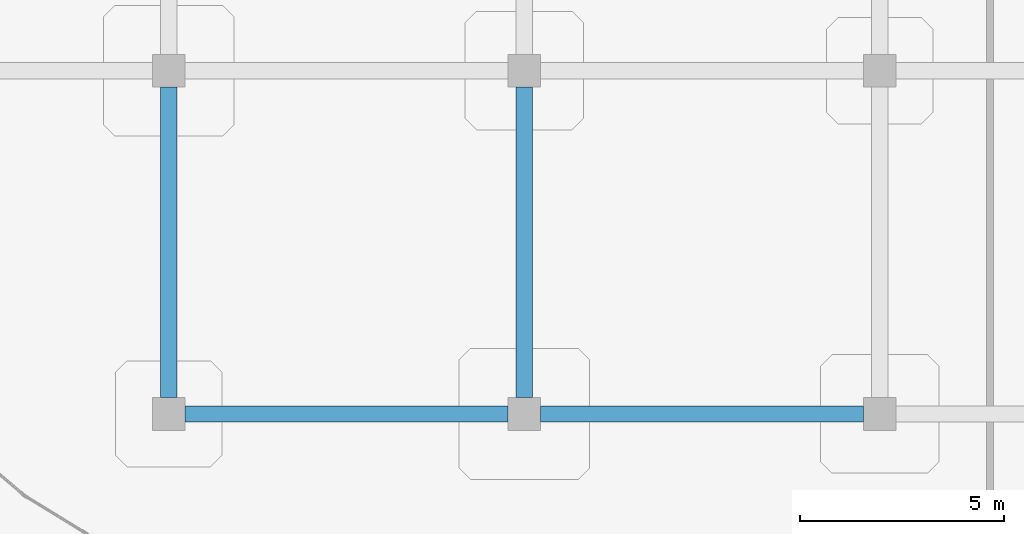
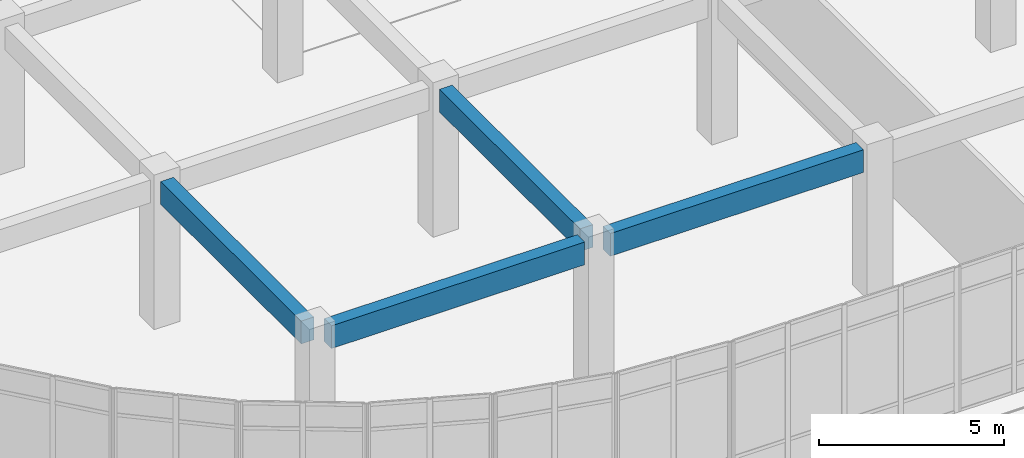
# One storey, part 5 of 124: 4 beams.
"""IFC4 building model written with IfcOpenShell, lengths in metres."""

import ifcopenshell
import ifcopenshell.guid

model = None  # the IFC model being written
_history = None  # IfcOwnerHistory: only IFC2X3 demands one
_inside = {}  # id of a spatial element -> (the spatial element, [elements in it])
_under = {}  # id of a project, library or spatial element -> (it, [spatial elements below it])
_declared = {}  # id of a project -> (the project, [libraries it declares])
_typed = {}  # id of a type object -> (the type object, [elements of that type])
_made_of = {}  # id of a material, layer set ... -> (it, [elements and type objects made of it])


def new_model(schema):
    """Start an empty IFC model of exactly this schema.

    Asked for "IFC4X3", IfcOpenShell would pick the latest addendum, in which some entities
    have other attributes; the version numbers below select the first issue.
    IFC2X3 requires an IfcOwnerHistory on every rooted entity: one is made here for all.
    """
    global model, _history
    if schema == "IFC4X3":
        model = ifcopenshell.file(schema_version=(4, 3, 0, 0))
    else:
        model = ifcopenshell.file(schema=schema)
    _inside.clear()
    _under.clear()
    _declared.clear()
    _typed.clear()
    _made_of.clear()
    _history = None
    if model.schema == "IFC2X3":
        org = make("IfcOrganization", Name="unknown")
        user = make(
            "IfcPersonAndOrganization",
            ThePerson=make("IfcPerson", FamilyName="unknown"),
            TheOrganization=org,
        )
        app = make(
            "IfcApplication",
            ApplicationDeveloper=org,
            Version="unknown",
            ApplicationFullName="unknown",
            ApplicationIdentifier="unknown",
        )
        _history = make(
            "IfcOwnerHistory",
            OwningUser=user,
            OwningApplication=app,
            ChangeAction="ADDED",
            CreationDate=0,
        )
    return model


def make(cls, **values):
    """One entity of the class cls with the attributes given. An attribute that is None is left unset."""
    return model.create_entity(
        cls, **{name: value for name, value in values.items() if value is not None}
    )


def rooted(cls, **values):
    """An entity with a GlobalId (a new one), such as an element, a storey or a relation."""
    return make(cls, GlobalId=ifcopenshell.guid.new(), OwnerHistory=_history, **values)


def si_unit(unit_type, name, prefix=None):
    """IfcSIUnit, for example si_unit("LENGTHUNIT", "METRE", prefix="MILLI")."""
    return make("IfcSIUnit", UnitType=unit_type, Prefix=prefix, Name=name)


def derived_unit(unit_type, elements):
    """IfcDerivedUnit: a product of units, each with its exponent."""
    return make(
        "IfcDerivedUnit",
        Elements=[
            make("IfcDerivedUnitElement", Unit=unit, Exponent=power)
            for unit, power in elements
        ],
        UnitType=unit_type,
    )


def assignment(units):
    """IfcUnitAssignment: the units of a project."""
    return None if units is None else make("IfcUnitAssignment", Units=units)


def point(xyz):
    """IfcCartesianPoint."""
    return None if xyz is None else make("IfcCartesianPoint", Coordinates=xyz)


def direction(xyz):
    """IfcDirection."""
    return None if xyz is None else make("IfcDirection", DirectionRatios=xyz)


def frame(location, z_axis=None, x_axis=None):
    """IfcAxis2Placement3D, a coordinate frame: its origin and axes. An axis left out is left unset."""
    return make(
        "IfcAxis2Placement3D",
        Location=point(location),
        Axis=direction(z_axis),
        RefDirection=direction(x_axis),
    )


def frame_2d(location, x_axis=None):
    """IfcAxis2Placement2D, a coordinate frame in the plane: its origin and x axis."""
    return make(
        "IfcAxis2Placement2D", Location=point(location), RefDirection=direction(x_axis)
    )


def origin():
    """The frame at (0, 0, 0) with its axes left unset."""
    return frame((0.0, 0.0, 0.0))


def origin_2d():
    """The frame at (0, 0) in the plane with its x axis left unset."""
    return frame_2d((0.0, 0.0))


def place(relative_to, where):
    """IfcLocalPlacement: puts the frame where relative to a parent placement (None: the world)."""
    return make(
        "IfcLocalPlacement", PlacementRelTo=relative_to, RelativePlacement=where
    )


def context(
    kind, dimensions, precision=None, world=None, true_north=None, identifier=None
):
    """IfcGeometricRepresentationContext, for example the 3D "Model" context."""
    return make(
        "IfcGeometricRepresentationContext",
        ContextIdentifier=identifier,
        ContextType=kind,
        CoordinateSpaceDimension=dimensions,
        Precision=precision,
        WorldCoordinateSystem=world,
        TrueNorth=true_north,
    )


def subcontext(parent, identifier, kind, view, scale=None):
    """IfcGeometricRepresentationSubContext, for example "Body" below "Model"."""
    return make(
        "IfcGeometricRepresentationSubContext",
        ContextIdentifier=identifier,
        ContextType=kind,
        ParentContext=parent,
        TargetScale=scale,
        TargetView=view,
    )


def project(units=None, contexts=None):
    """IfcProject with its units and contexts."""
    return rooted(
        "IfcProject",
        Name="project",
        RepresentationContexts=contexts,
        UnitsInContext=assignment(units),
    )


def spatial(cls, under=None, at=None, **own):
    """A site, building, storey or space (cls), placed at a placement, below another one or the project."""
    s = rooted(cls, ObjectPlacement=at, **own)
    if under is not None:
        _under.setdefault(under.id(), (under, []))[1].append(s)
    return s


def profile(cls, at=None, kind="AREA", **sizes):
    """A parametric profile (cls). Its sizes go by their IFC names, for example OverallWidth=200.0."""
    return make(cls, ProfileType=kind, Position=at, **sizes)


def rectangle(**sizes):
    """IfcRectangleProfileDef."""
    return profile("IfcRectangleProfileDef", **sizes)


def extrude(swept, where, along, depth):
    """IfcExtrudedAreaSolid: the profile swept, set in the frame where, extruded along a direction by depth."""
    return make(
        "IfcExtrudedAreaSolid",
        SweptArea=swept,
        Position=where,
        ExtrudedDirection=direction(along),
        Depth=depth,
    )


def shape(context_of_items, identifier, shape_type, items):
    """IfcShapeRepresentation: the items that make up one representation, for example the "Body"."""
    return make(
        "IfcShapeRepresentation",
        ContextOfItems=context_of_items,
        RepresentationIdentifier=identifier,
        RepresentationType=shape_type,
        Items=items,
    )


def material(Name=None, Category=None):
    """IfcMaterial."""
    return make("IfcMaterial", Name=Name, Category=Category)


def material_profile(
    of_material, cross_section, Name=None, Category=None, Priority=None
):
    """IfcMaterialProfile: a cross section and its material."""
    return make(
        "IfcMaterialProfile",
        Name=Name,
        Material=of_material,
        Profile=cross_section,
        Priority=Priority,
        Category=Category,
    )


def profile_set(profiles, Name=None, composite=None):
    """IfcMaterialProfileSet."""
    return make(
        "IfcMaterialProfileSet",
        Name=Name,
        MaterialProfiles=profiles,
        CompositeProfile=composite,
    )


def made_of(thing, what):
    """Note that an element or type object is made of a material, layer set ...; save() writes the relation."""
    if what is not None:
        _made_of.setdefault(what.id(), (what, []))[1].append(thing)
    return thing


def type_object(cls, material=None, **own):
    """A type object (cls), such as IfcWallType, which elements share."""
    return made_of(rooted(cls, **own), material)


def element(
    cls,
    number,
    at=None,
    inside=None,
    cuts=None,
    type_object=None,
    material=None,
    context=None,
    identifier="Body",
    shape_type=None,
    held_by="IfcProductDefinitionShape",
    body=None,
    shapes=None,
    **own,
):
    """One element of the class cls, such as IfcWall. Its Tag is "e" and its number.

    at: its placement. inside: the storey or other place that contains it. cuts: it is an
    opening in that element (IfcRelVoidsElement). A single representation is given by context,
    identifier, shape_type and body (its items); several are given by shapes. held_by: the class
    of the entity that holds the representations. save() writes the other relations.
    """
    e = rooted(cls, Tag="e%d" % number, ObjectPlacement=at, **own)
    if body is not None:
        shapes = [shape(context, identifier, shape_type, body)]
    if shapes is not None:
        e.Representation = make(held_by, Representations=shapes)
    if inside is not None:
        _inside.setdefault(inside.id(), (inside, []))[1].append(e)
    if cuts is not None:
        rooted(
            "IfcRelVoidsElement", RelatingBuildingElement=cuts, RelatedOpeningElement=e
        )
    if type_object is not None:
        _typed.setdefault(type_object.id(), (type_object, []))[1].append(e)
    return made_of(e, material)


def aggregate(whole, parts):
    """IfcRelAggregates: a whole, such as a stair, and the parts it consists of."""
    return rooted("IfcRelAggregates", RelatingObject=whole, RelatedObjects=parts)


def save(model, path):
    """Write the relations noted so far, then the file.

    IfcRelAggregates (storeys below a building ...), IfcRelContainedInSpatialStructure (elements
    in a storey), IfcRelDefinesByType, IfcRelAssociatesMaterial and IfcRelDeclares: one each for
    every whole, place, type object, material and project.
    """
    for whole, parts in _under.values():
        aggregate(whole, parts)
    for where, things in _inside.values():
        rooted(
            "IfcRelContainedInSpatialStructure",
            RelatedElements=things,
            RelatingStructure=where,
        )
    for kind, things in _typed.values():
        rooted("IfcRelDefinesByType", RelatedObjects=things, RelatingType=kind)
    for what, things in _made_of.values():
        rooted("IfcRelAssociatesMaterial", RelatedObjects=things, RelatingMaterial=what)
    for by, libraries in _declared.values():
        rooted("IfcRelDeclares", RelatingContext=by, RelatedDefinitions=libraries)
    model.write(path)


model = new_model("IFC4")

# Units and contexts
model_context = context("Model", 3, precision=1e-05, world=origin(), true_north=direction((0.0, 1.0)))
body_context = subcontext(model_context, "Body", "Model", "MODEL_VIEW")
ifc_project = project(units=[si_unit("LENGTHUNIT", "METRE"), si_unit("AREAUNIT", "SQUARE_METRE"), si_unit("VOLUMEUNIT", "CUBIC_METRE"), si_unit("PLANEANGLEUNIT", "RADIAN"), si_unit("MASSUNIT", "GRAM", prefix="KILO"), derived_unit("THERMALTRANSMITTANCEUNIT", [(si_unit("MASSUNIT", "GRAM", prefix="KILO"), 1), (si_unit("TIMEUNIT", "SECOND"), -3), (si_unit("THERMODYNAMICTEMPERATUREUNIT", "KELVIN"), -1)])], contexts=[model_context])

# Site, building, storey
site_placement = place(None, origin())
site = spatial("IfcSite", under=ifc_project, at=site_placement, CompositionType="ELEMENT")
building_placement = place(site_placement, origin())
building = spatial("IfcBuilding", under=site, at=building_placement, Name="Qinzheling Arcade Emporium", CompositionType="ELEMENT")
storey_placement = place(building_placement, frame((0.0, 0.0, 16.5)))
storey = spatial("IfcBuildingStorey", under=building, at=storey_placement, Name="L04", CompositionType="ELEMENT", Elevation=16.5)

# Beams
ifc_material = material(Name="Concrete C40", Category="concrete")
ifc_material_profile = material_profile(ifc_material, rectangle(XDim=0.39990234375, YDim=0.75, at=origin_2d()), Name="RC 400x750", Category="concrete")
ifc_profile_set = profile_set([ifc_material_profile], Name="Concrete C40")
beam_type = type_object("IfcBeamType", Name="RC Interior Tie Beam 400x750 C40", PredefinedType="BEAM", material=ifc_profile_set)
for number, where, z_axis, x_axis, name in (
    (1, (17.800048828125, 8.39990234375, 4.445068359375), (1.0, 0.0, 0.0), (0.0, 1.0, 0.0), "Beam BM-L04-X-B-3"),
    (2, (26.5, 8.39990234375, 4.445068359375), (1.0, 0.0, 0.0), (0.0, 1.0, 0.0), "Beam BM-L04-X-B-4"),
):
    element("IfcBeam", number, at=place(storey_placement, frame(where, z_axis=z_axis, x_axis=x_axis)), inside=storey, type_object=beam_type, Name=name, PredefinedType="BEAM", context=body_context, shape_type="SweptSolid", body=[
        extrude(rectangle(XDim=0.39990234375, YDim=0.75, at=origin_2d()), origin(), (0.0, 0.0, 1.0), 7.89990234375),
    ])
for number, where, z_axis, x_axis, name in (
    (3, (17.39990234375, 8.800048828125, 4.445068359375), (0.0, 1.0, 0.0), (-1.0, 0.0, 0.0), "Beam BM-L04-Y-3-B"),
    (4, (26.10009765625, 8.800048828125, 4.445068359375), (0.0, 1.0, 0.0), (-1.0, 0.0, 0.0), "Beam BM-L04-Y-4-B"),
):
    element("IfcBeam", number, at=place(storey_placement, frame(where, z_axis=z_axis, x_axis=x_axis)), inside=storey, type_object=beam_type, Name=name, PredefinedType="BEAM", context=body_context, shape_type="SweptSolid", body=[
        extrude(rectangle(XDim=0.39990234375, YDim=0.75, at=origin_2d()), origin(), (0.0, 0.0, 1.0), 7.599853515625),
    ])

save(model, "model.ifc")
